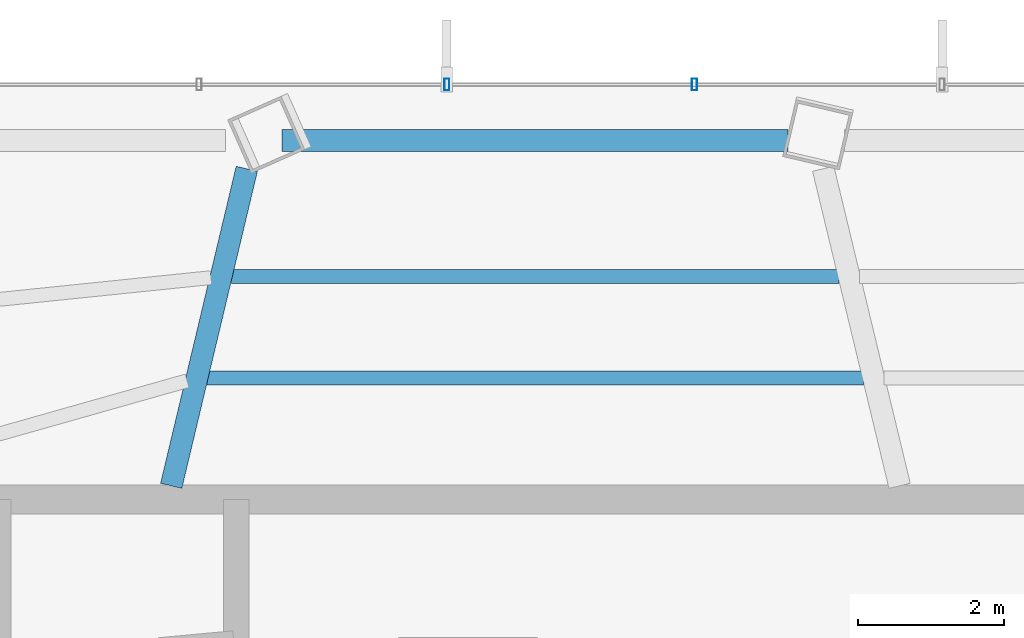
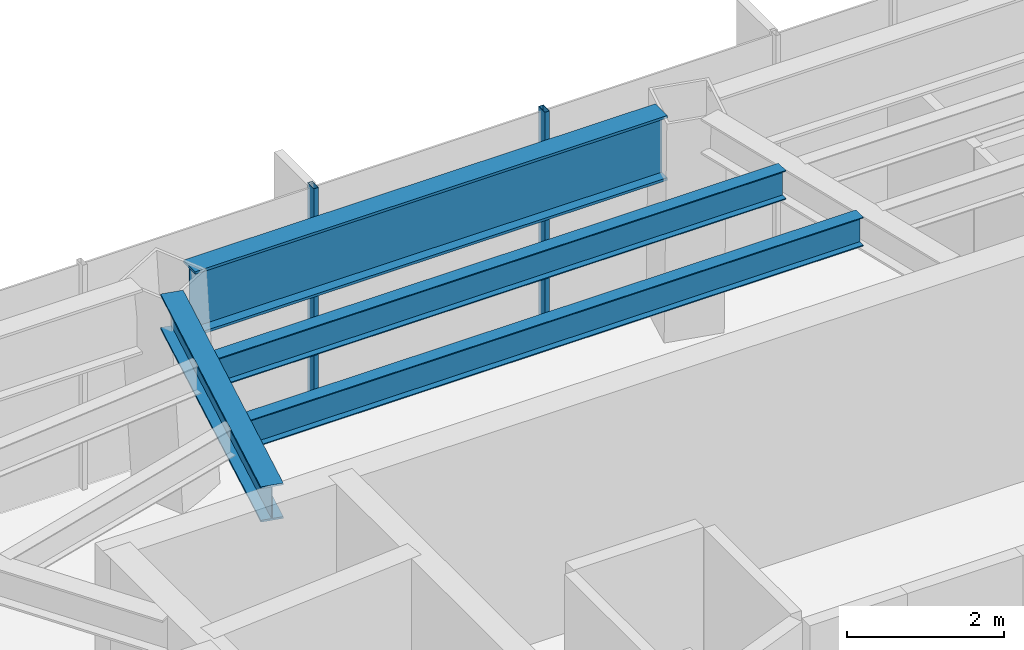
# One storey, part 14 of 29: 4 beams, 2 members, 1 element without a shape of its own.
"""IFC4 building model written with IfcOpenShell, lengths in metres."""

from ifc_helpers import new_model, si_unit, direction, frame, origin, origin_2d, place, context, subcontext, project, spatial, hollow_rectangle, i_section, extrude, material, layer, layer_set, material_profile, profile_set, type_object, element, aggregate, save


model = new_model("IFC4")

# Units and contexts
model_context = context("Model", 3, precision=1e-05, world=origin(), true_north=direction((0.0, 1.0)))
body_context = subcontext(model_context, "Body", "Model", "MODEL_VIEW")
ifc_project = project(units=[si_unit("LENGTHUNIT", "METRE"), si_unit("AREAUNIT", "SQUARE_METRE"), si_unit("VOLUMEUNIT", "CUBIC_METRE"), si_unit("PLANEANGLEUNIT", "RADIAN"), si_unit("MASSUNIT", "GRAM", prefix="KILO")], contexts=[model_context])

# Site, building, storey
site_placement = place(None, origin())
site = spatial("IfcSite", under=ifc_project, at=site_placement, CompositionType="ELEMENT")
building_placement = place(site_placement, origin())
building = spatial("IfcBuilding", under=site, at=building_placement, Name="Zarrinselat Tower", CompositionType="ELEMENT")
storey_placement = place(building_placement, frame((0.0, 0.0, 142.1201171875)))
storey = spatial("IfcBuildingStorey", under=building, at=storey_placement, Name="L34", CompositionType="ELEMENT", Elevation=142.1201171875)

# Beams
ifc_material_1 = material(Name="Steel S355J2", Category="steel")
ifc_material_profile_1 = material_profile(ifc_material_1, i_section(OverallWidth=0.300048828125, OverallDepth=0.550048828125, WebThickness=0.014892578125, FlangeThickness=0.029052734375, at=origin_2d()), Name="HEB 550")
ifc_profile_set_1 = profile_set([ifc_material_profile_1], Name="Steel S355J2")
beam_type_1 = type_object("IfcBeamType", Name="BM-HEB550", PredefinedType="BEAM", material=ifc_profile_set_1)
beam_1_placement = place(storey_placement, frame((31.0, 43.639892578125, 3.224853515625), z_axis=(0.231954927878, 0.972726534764, 0.0), x_axis=(-0.972726534764, 0.231954927878, 0.0)))
element("IfcBeam", 1, at=beam_1_placement, inside=storey, type_object=beam_type_1, Name="L34 Radial Primary Girder RG04", PredefinedType="BEAM", context=body_context, shape_type="SweptSolid", body=[
    extrude(i_section(OverallWidth=0.300048828125, OverallDepth=0.550048828125, WebThickness=0.014892578125, FlangeThickness=0.029052734375, at=origin_2d()), origin(), (0.0, 0.0, 1.0), 4.474365234375),
])
ifc_material_2 = material(Name="Steel S460M", Category="steel")
ifc_material_profile_2 = material_profile(ifc_material_2, i_section(OverallWidth=0.302001953125, OverallDepth=1.008056640625, WebThickness=0.02099609375, FlangeThickness=0.0400390625, at=origin_2d()), Name="HEM 1000")
ifc_profile_set_2 = profile_set([ifc_material_profile_2], Name="Steel S460M")
beam_type_2 = type_object("IfcBeamType", Name="BM-HEM1000", PredefinedType="BEAM", material=ifc_profile_set_2)
beam_2_placement = place(storey_placement, frame((32.51904296875, 48.38330078125, 2.995849609375), z_axis=(1.0, 0.0, 0.0), x_axis=(0.0, 1.0, 0.0)))
element("IfcBeam", 2, at=beam_2_placement, inside=storey, type_object=beam_type_2, Name="L34 Perimeter Spandrel Girder SP03", PredefinedType="BEAM", context=body_context, shape_type="SweptSolid", body=[
    extrude(i_section(OverallWidth=0.302001953125, OverallDepth=1.008056640625, WebThickness=0.02099609375, FlangeThickness=0.0400390625, at=origin_2d()), origin(), (0.0, 0.0, 1.0), 6.9501953125),
])
ifc_material_3 = material(Name="Steel S355J2", Category="steel")
ifc_material_profile_3 = material_profile(ifc_material_3, i_section(OverallWidth=0.18994140625, OverallDepth=0.449951171875, WebThickness=0.009521484375, FlangeThickness=0.0146484375, at=origin_2d()), Name="IPE 450")
ifc_profile_set_3 = profile_set([ifc_material_profile_3], Name="Steel S355J2")
beam_type_3 = type_object("IfcBeamType", Name="BM-IPE450", PredefinedType="JOIST", material=ifc_profile_set_3)
beam_3_placement = place(storey_placement, frame((31.824951171875, 46.512451171875, 3.27490234375), z_axis=(0.999999999572, 2.9262868e-05, 0.0), x_axis=(-2.9262868e-05, 0.999999999572, 0.0)))
element("IfcBeam", 3, at=beam_3_placement, inside=storey, type_object=beam_type_3, Name="L34 Composite Floor Joist 8-1", PredefinedType="JOIST", context=body_context, shape_type="SweptSolid", body=[
    extrude(i_section(OverallWidth=0.18994140625, OverallDepth=0.449951171875, WebThickness=0.009521484375, FlangeThickness=0.0146484375, at=origin_2d()), origin(), (0.0, 0.0, 1.0), 8.343017578125),
])
beam_4_placement = place(storey_placement, frame((31.492919921875, 45.119873046875, 3.27490234375), z_axis=(1.0, 0.0, 0.0), x_axis=(0.0, 1.0, 0.0)))
element("IfcBeam", 4, at=beam_4_placement, inside=storey, type_object=beam_type_3, Name="L34 Composite Floor Joist 8-2", PredefinedType="JOIST", context=body_context, shape_type="SweptSolid", body=[
    extrude(i_section(OverallWidth=0.18994140625, OverallDepth=0.449951171875, WebThickness=0.009521484375, FlangeThickness=0.0146484375, at=origin_2d()), origin(), (0.0, 0.0, 1.0), 9.010498046875),
])

# Curtain wall, members
ifc_material_4 = material(Name="Extruded Aluminium Alloy EN AW-6063 T6", Category="aluminium")
ifc_layer = layer(ifc_material_4, 0.175048828125)
ifc_layer_set = layer_set([ifc_layer], Name="Extruded Aluminium Alloy EN AW-6063 T6")
curtain_wall_type = type_object("IfcCurtainWallType", Name="CWS-HTL", PredefinedType="NOTDEFINED", material=ifc_layer_set)
curtain_wall_placement = place(storey_placement, origin())
curtain_wall = element("IfcCurtainWall", 5, at=curtain_wall_placement, inside=storey, type_object=curtain_wall_type, Name="L34 Unitised Curtain Wall CW-L34-E01", PredefinedType="NOTDEFINED")
ifc_material_5 = material(Name="Extruded Aluminium Alloy EN AW-6063 T6", Category="aluminium")
ifc_material_profile_4 = material_profile(ifc_material_5, hollow_rectangle(XDim=0.070068359375, YDim=0.159912109375, WallThickness=0.00390625, at=origin_2d()), Name="RHS 160x70x4")
ifc_profile_set_4 = profile_set([ifc_material_profile_4], Name="Extruded Aluminium Alloy EN AW-6063 T6")
member_type = type_object("IfcMemberType", Name="MEM-CW-MUL2", PredefinedType="MULLION", material=ifc_profile_set_4)
member_1_placement = place(storey_placement, frame((38.184326171875, 49.14990234375, 0.0), z_axis=(0.0, 0.0, 1.0), x_axis=(-1.0, 0.0, 0.0)))
member_1 = element("IfcMember", 6, at=member_1_placement, type_object=member_type, Name="CW-L34-E01 Mullion 6", PredefinedType="MULLION", context=body_context, shape_type="SweptSolid", body=[
    extrude(hollow_rectangle(XDim=0.070068359375, YDim=0.159912109375, WallThickness=0.00390625, at=origin_2d()), origin(), (0.0, 0.0, 1.0), 3.5),
])
member_2_placement = place(storey_placement, frame((34.78369140625, 49.14990234375, 0.0), z_axis=(0.0, 0.0, 1.0), x_axis=(-1.0, 0.0, 0.0)))
member_2 = element("IfcMember", 7, at=member_2_placement, type_object=member_type, Name="CW-L34-E01 Mullion 7", PredefinedType="MULLION", context=body_context, shape_type="SweptSolid", body=[
    extrude(hollow_rectangle(XDim=0.070068359375, YDim=0.159912109375, WallThickness=0.00390625, at=origin_2d()), origin(), (0.0, 0.0, 1.0), 3.5),
])
aggregate(curtain_wall, [member_1, member_2])

save(model, "model.ifc")
